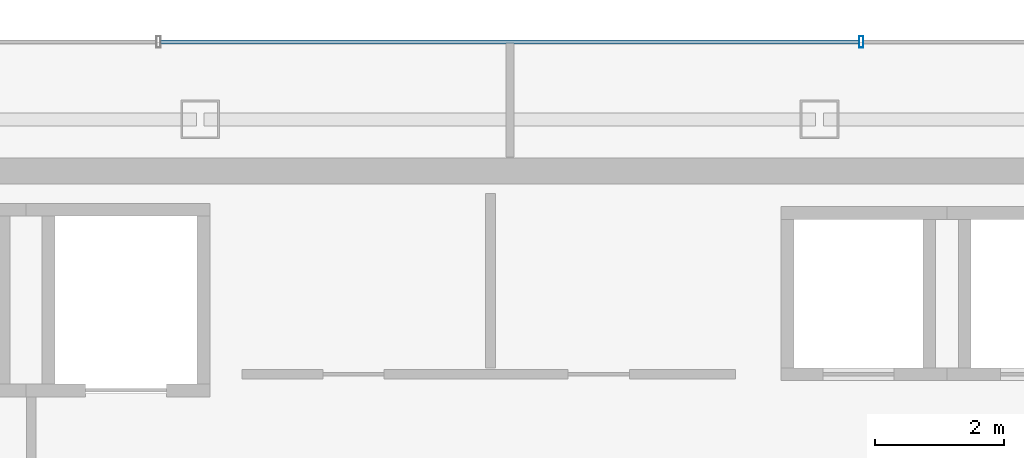
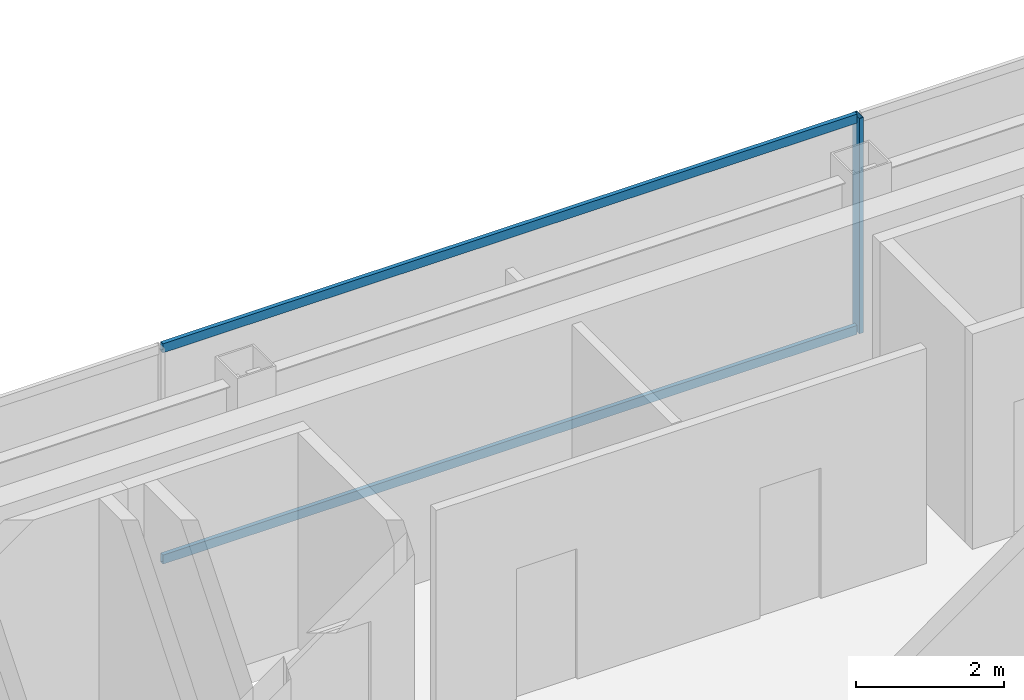
# One storey, part 14 of 25: 3 members, 1 element without a shape of its own.
"""IFC4 building model written with IfcOpenShell, lengths in metres."""

import ifcopenshell
import ifcopenshell.guid

model = None  # the IFC model being written
_history = None  # IfcOwnerHistory: only IFC2X3 demands one
_inside = {}  # id of a spatial element -> (the spatial element, [elements in it])
_under = {}  # id of a project, library or spatial element -> (it, [spatial elements below it])
_declared = {}  # id of a project -> (the project, [libraries it declares])
_typed = {}  # id of a type object -> (the type object, [elements of that type])
_made_of = {}  # id of a material, layer set ... -> (it, [elements and type objects made of it])


def new_model(schema):
    """Start an empty IFC model of exactly this schema.

    Asked for "IFC4X3", IfcOpenShell would pick the latest addendum, in which some entities
    have other attributes; the version numbers below select the first issue.
    IFC2X3 requires an IfcOwnerHistory on every rooted entity: one is made here for all.
    """
    global model, _history
    if schema == "IFC4X3":
        model = ifcopenshell.file(schema_version=(4, 3, 0, 0))
    else:
        model = ifcopenshell.file(schema=schema)
    _inside.clear()
    _under.clear()
    _declared.clear()
    _typed.clear()
    _made_of.clear()
    _history = None
    if model.schema == "IFC2X3":
        org = make("IfcOrganization", Name="unknown")
        user = make(
            "IfcPersonAndOrganization",
            ThePerson=make("IfcPerson", FamilyName="unknown"),
            TheOrganization=org,
        )
        app = make(
            "IfcApplication",
            ApplicationDeveloper=org,
            Version="unknown",
            ApplicationFullName="unknown",
            ApplicationIdentifier="unknown",
        )
        _history = make(
            "IfcOwnerHistory",
            OwningUser=user,
            OwningApplication=app,
            ChangeAction="ADDED",
            CreationDate=0,
        )
    return model


def make(cls, **values):
    """One entity of the class cls with the attributes given. An attribute that is None is left unset."""
    return model.create_entity(
        cls, **{name: value for name, value in values.items() if value is not None}
    )


def rooted(cls, **values):
    """An entity with a GlobalId (a new one), such as an element, a storey or a relation."""
    return make(cls, GlobalId=ifcopenshell.guid.new(), OwnerHistory=_history, **values)


def si_unit(unit_type, name, prefix=None):
    """IfcSIUnit, for example si_unit("LENGTHUNIT", "METRE", prefix="MILLI")."""
    return make("IfcSIUnit", UnitType=unit_type, Prefix=prefix, Name=name)


def assignment(units):
    """IfcUnitAssignment: the units of a project."""
    return None if units is None else make("IfcUnitAssignment", Units=units)


def point(xyz):
    """IfcCartesianPoint."""
    return None if xyz is None else make("IfcCartesianPoint", Coordinates=xyz)


def direction(xyz):
    """IfcDirection."""
    return None if xyz is None else make("IfcDirection", DirectionRatios=xyz)


def frame(location, z_axis=None, x_axis=None):
    """IfcAxis2Placement3D, a coordinate frame: its origin and axes. An axis left out is left unset."""
    return make(
        "IfcAxis2Placement3D",
        Location=point(location),
        Axis=direction(z_axis),
        RefDirection=direction(x_axis),
    )


def frame_2d(location, x_axis=None):
    """IfcAxis2Placement2D, a coordinate frame in the plane: its origin and x axis."""
    return make(
        "IfcAxis2Placement2D", Location=point(location), RefDirection=direction(x_axis)
    )


def origin():
    """The frame at (0, 0, 0) with its axes left unset."""
    return frame((0.0, 0.0, 0.0))


def origin_2d():
    """The frame at (0, 0) in the plane with its x axis left unset."""
    return frame_2d((0.0, 0.0))


def place(relative_to, where):
    """IfcLocalPlacement: puts the frame where relative to a parent placement (None: the world)."""
    return make(
        "IfcLocalPlacement", PlacementRelTo=relative_to, RelativePlacement=where
    )


def context(
    kind, dimensions, precision=None, world=None, true_north=None, identifier=None
):
    """IfcGeometricRepresentationContext, for example the 3D "Model" context."""
    return make(
        "IfcGeometricRepresentationContext",
        ContextIdentifier=identifier,
        ContextType=kind,
        CoordinateSpaceDimension=dimensions,
        Precision=precision,
        WorldCoordinateSystem=world,
        TrueNorth=true_north,
    )


def subcontext(parent, identifier, kind, view, scale=None):
    """IfcGeometricRepresentationSubContext, for example "Body" below "Model"."""
    return make(
        "IfcGeometricRepresentationSubContext",
        ContextIdentifier=identifier,
        ContextType=kind,
        ParentContext=parent,
        TargetScale=scale,
        TargetView=view,
    )


def project(units=None, contexts=None):
    """IfcProject with its units and contexts."""
    return rooted(
        "IfcProject",
        Name="project",
        RepresentationContexts=contexts,
        UnitsInContext=assignment(units),
    )


def spatial(cls, under=None, at=None, **own):
    """A site, building, storey or space (cls), placed at a placement, below another one or the project."""
    s = rooted(cls, ObjectPlacement=at, **own)
    if under is not None:
        _under.setdefault(under.id(), (under, []))[1].append(s)
    return s


def profile(cls, at=None, kind="AREA", **sizes):
    """A parametric profile (cls). Its sizes go by their IFC names, for example OverallWidth=200.0."""
    return make(cls, ProfileType=kind, Position=at, **sizes)


def hollow_rectangle(**sizes):
    """IfcRectangleHollowProfileDef."""
    return profile("IfcRectangleHollowProfileDef", **sizes)


def extrude(swept, where, along, depth):
    """IfcExtrudedAreaSolid: the profile swept, set in the frame where, extruded along a direction by depth."""
    return make(
        "IfcExtrudedAreaSolid",
        SweptArea=swept,
        Position=where,
        ExtrudedDirection=direction(along),
        Depth=depth,
    )


def shape(context_of_items, identifier, shape_type, items):
    """IfcShapeRepresentation: the items that make up one representation, for example the "Body"."""
    return make(
        "IfcShapeRepresentation",
        ContextOfItems=context_of_items,
        RepresentationIdentifier=identifier,
        RepresentationType=shape_type,
        Items=items,
    )


def material(Name=None, Category=None):
    """IfcMaterial."""
    return make("IfcMaterial", Name=Name, Category=Category)


def material_profile(
    of_material, cross_section, Name=None, Category=None, Priority=None
):
    """IfcMaterialProfile: a cross section and its material."""
    return make(
        "IfcMaterialProfile",
        Name=Name,
        Material=of_material,
        Profile=cross_section,
        Priority=Priority,
        Category=Category,
    )


def profile_set(profiles, Name=None, composite=None):
    """IfcMaterialProfileSet."""
    return make(
        "IfcMaterialProfileSet",
        Name=Name,
        MaterialProfiles=profiles,
        CompositeProfile=composite,
    )


def made_of(thing, what):
    """Note that an element or type object is made of a material, layer set ...; save() writes the relation."""
    if what is not None:
        _made_of.setdefault(what.id(), (what, []))[1].append(thing)
    return thing


def type_object(cls, material=None, **own):
    """A type object (cls), such as IfcWallType, which elements share."""
    return made_of(rooted(cls, **own), material)


def element(
    cls,
    number,
    at=None,
    inside=None,
    cuts=None,
    type_object=None,
    material=None,
    context=None,
    identifier="Body",
    shape_type=None,
    held_by="IfcProductDefinitionShape",
    body=None,
    shapes=None,
    **own,
):
    """One element of the class cls, such as IfcWall. Its Tag is "e" and its number.

    at: its placement. inside: the storey or other place that contains it. cuts: it is an
    opening in that element (IfcRelVoidsElement). A single representation is given by context,
    identifier, shape_type and body (its items); several are given by shapes. held_by: the class
    of the entity that holds the representations. save() writes the other relations.
    """
    e = rooted(cls, Tag="e%d" % number, ObjectPlacement=at, **own)
    if body is not None:
        shapes = [shape(context, identifier, shape_type, body)]
    if shapes is not None:
        e.Representation = make(held_by, Representations=shapes)
    if inside is not None:
        _inside.setdefault(inside.id(), (inside, []))[1].append(e)
    if cuts is not None:
        rooted(
            "IfcRelVoidsElement", RelatingBuildingElement=cuts, RelatedOpeningElement=e
        )
    if type_object is not None:
        _typed.setdefault(type_object.id(), (type_object, []))[1].append(e)
    return made_of(e, material)


def aggregate(whole, parts):
    """IfcRelAggregates: a whole, such as a stair, and the parts it consists of."""
    return rooted("IfcRelAggregates", RelatingObject=whole, RelatedObjects=parts)


def save(model, path):
    """Write the relations noted so far, then the file.

    IfcRelAggregates (storeys below a building ...), IfcRelContainedInSpatialStructure (elements
    in a storey), IfcRelDefinesByType, IfcRelAssociatesMaterial and IfcRelDeclares: one each for
    every whole, place, type object, material and project.
    """
    for whole, parts in _under.values():
        aggregate(whole, parts)
    for where, things in _inside.values():
        rooted(
            "IfcRelContainedInSpatialStructure",
            RelatedElements=things,
            RelatingStructure=where,
        )
    for kind, things in _typed.values():
        rooted("IfcRelDefinesByType", RelatedObjects=things, RelatingType=kind)
    for what, things in _made_of.values():
        rooted("IfcRelAssociatesMaterial", RelatedObjects=things, RelatingMaterial=what)
    for by, libraries in _declared.values():
        rooted("IfcRelDeclares", RelatingContext=by, RelatedDefinitions=libraries)
    model.write(path)


model = new_model("IFC4")

# Units and contexts
model_context = context("Model", 3, precision=1e-05, world=origin(), true_north=direction((0.0, 1.0)))
body_context = subcontext(model_context, "Body", "Model", "MODEL_VIEW")
ifc_project = project(units=[si_unit("LENGTHUNIT", "METRE"), si_unit("AREAUNIT", "SQUARE_METRE"), si_unit("VOLUMEUNIT", "CUBIC_METRE"), si_unit("PLANEANGLEUNIT", "RADIAN"), si_unit("MASSUNIT", "GRAM", prefix="KILO")], contexts=[model_context])

# Site, building, storey
site_placement = place(None, origin())
site = spatial("IfcSite", under=ifc_project, at=site_placement, CompositionType="ELEMENT")
building_placement = place(site_placement, origin())
building = spatial("IfcBuilding", under=site, at=building_placement, Name="Saevonmaru Cultural Tower", CompositionType="ELEMENT")
storey_placement = place(building_placement, frame((0.0, 0.0, 276.199951171875)))
storey = spatial("IfcBuildingStorey", under=building, at=storey_placement, Name="L65", CompositionType="ELEMENT", Elevation=276.199951171875)

# Curtain wall, members
ifc_material = material(Name="Satin Bronze Anodised Aluminium", Category="aluminium")
curtain_wall_type = type_object("IfcCurtainWallType", Name="CW-TYP-B", PredefinedType="NOTDEFINED", material=ifc_material)
curtain_wall_placement = place(storey_placement, origin())
curtain_wall = element("IfcCurtainWall", 1, at=curtain_wall_placement, inside=storey, type_object=curtain_wall_type, Name="L65 North Spine Unitised Curtain Wall E10B", PredefinedType="NOTDEFINED")
ifc_material_profile_1 = material_profile(ifc_material, hollow_rectangle(XDim=0.06494140625, YDim=0.179931640625, WallThickness=0.00390625, at=origin_2d()), Name="ALU-MULL-180x65x4")
ifc_profile_set_1 = profile_set([ifc_material_profile_1], Name="Satin Bronze Anodised Aluminium")
member_type_1 = type_object("IfcMemberType", Name="ML-CW-180x65", PredefinedType="MULLION", material=ifc_profile_set_1)
member_1_placement = place(storey_placement, frame((35.44677734375, 56.0, 0.0), z_axis=(0.0, 0.0, 1.0), x_axis=(-1.0, 0.0, 0.0)))
member_1 = element("IfcMember", 2, at=member_1_placement, type_object=member_type_1, Name="CW-TW-L65-E10B mullion 2", PredefinedType="MULLION", context=body_context, shape_type="SweptSolid", body=[
    extrude(hollow_rectangle(XDim=0.06494140625, YDim=0.179931640625, WallThickness=0.00390625, at=origin_2d()), origin(), (0.0, 0.0, 1.0), 3.550048828125),
])
ifc_material_profile_2 = material_profile(ifc_material, hollow_rectangle(XDim=0.06494140625, YDim=0.14990234375, WallThickness=0.00390625, at=origin_2d()), Name="ALU-TRAN-150x65x4")
ifc_profile_set_2 = profile_set([ifc_material_profile_2], Name="Satin Bronze Anodised Aluminium")
member_type_2 = type_object("IfcMemberType", Name="TR-CW-150x65", PredefinedType="USERDEFINED", material=ifc_profile_set_2)
member_2_placement = place(storey_placement, frame((35.4140625, 56.0, 0.032470703125), z_axis=(-1.0, 0.0, 0.0), x_axis=(0.0, -1.0, 0.0)))
member_2 = element("IfcMember", 3, at=member_2_placement, type_object=member_type_2, Name="CW-TW-L65-E10B transom 2.1", ObjectType="TRANSOM", PredefinedType="USERDEFINED", context=body_context, shape_type="SweptSolid", body=[
    extrude(hollow_rectangle(XDim=0.06494140625, YDim=0.14990234375, WallThickness=0.00390625, at=origin_2d()), origin(), (0.0, 0.0, 1.0), 10.828125),
])
member_3_placement = place(storey_placement, frame((35.4140625, 56.0, 3.517578125), z_axis=(-1.0, 0.0, 0.0), x_axis=(0.0, -1.0, 0.0)))
member_3 = element("IfcMember", 4, at=member_3_placement, type_object=member_type_2, Name="CW-TW-L65-E10B transom 2.2", ObjectType="TRANSOM", PredefinedType="USERDEFINED", context=body_context, shape_type="SweptSolid", body=[
    extrude(hollow_rectangle(XDim=0.06494140625, YDim=0.14990234375, WallThickness=0.00390625, at=origin_2d()), origin(), (0.0, 0.0, 1.0), 10.828125),
])
aggregate(curtain_wall, [member_1, member_2, member_3])

save(model, "model.ifc")
